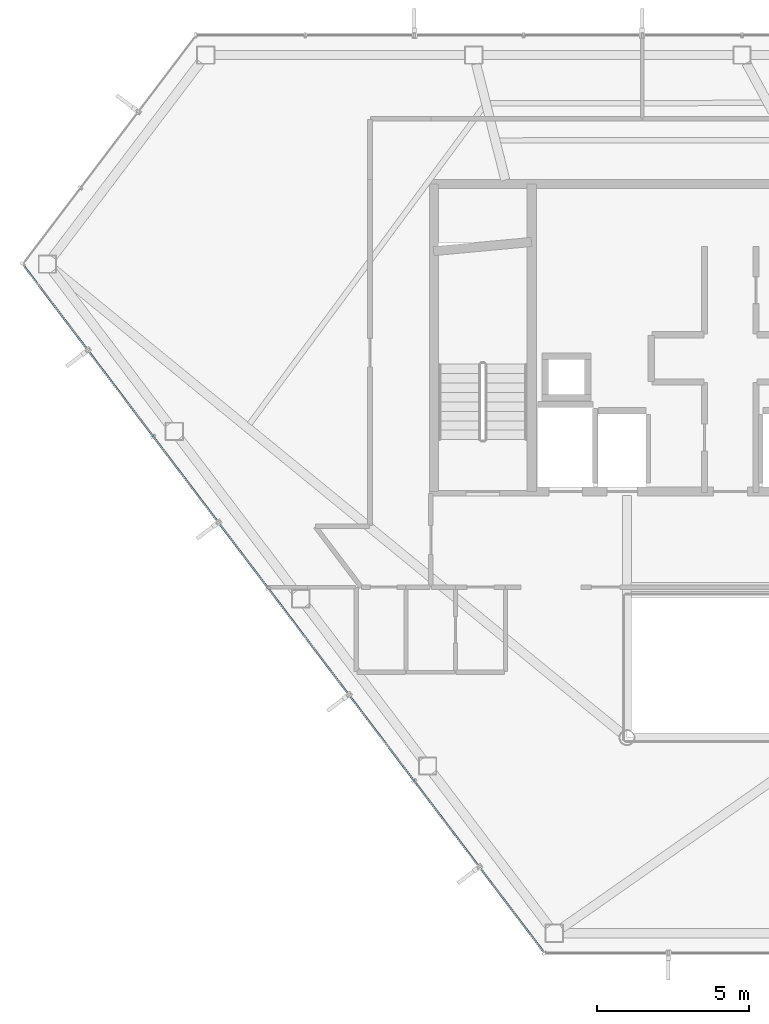
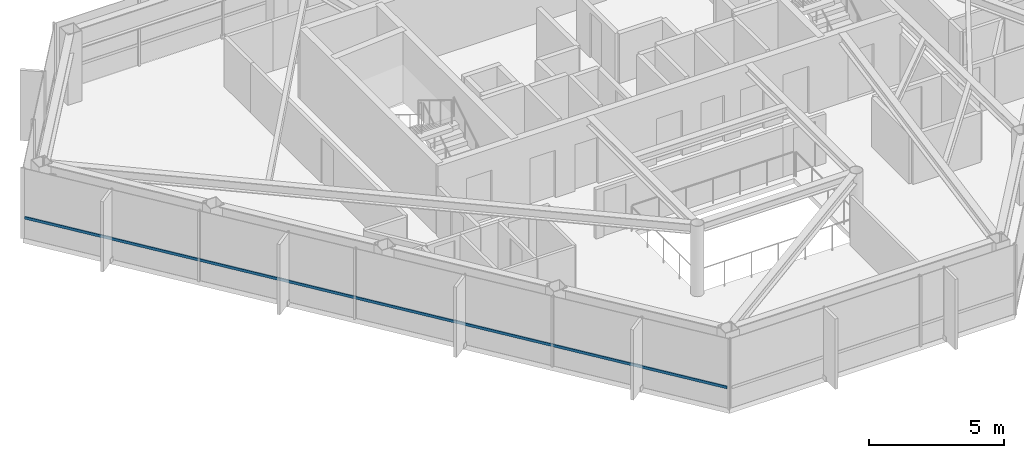
# One storey, part 4 of 28: 1 member, 1 element without a shape of its own.
"""IFC4 building model written with IfcOpenShell, lengths in metres."""

from ifc_helpers import new_model, si_unit, direction, frame, origin, origin_2d, place, context, subcontext, project, spatial, hollow_rectangle, extrude, material, layer, layer_set, material_profile, profile_set, type_object, element, aggregate, save


model = new_model("IFC4")

# Units and contexts
model_context = context("Model", 3, precision=1e-05, world=origin(), true_north=direction((0.0, 1.0)))
body_context = subcontext(model_context, "Body", "Model", "MODEL_VIEW")
ifc_project = project(units=[si_unit("LENGTHUNIT", "METRE"), si_unit("AREAUNIT", "SQUARE_METRE"), si_unit("VOLUMEUNIT", "CUBIC_METRE"), si_unit("PLANEANGLEUNIT", "RADIAN"), si_unit("MASSUNIT", "GRAM", prefix="KILO")], contexts=[model_context])

# Site, building, storey
site_placement = place(None, origin())
site = spatial("IfcSite", under=ifc_project, at=site_placement, CompositionType="ELEMENT")
building_placement = place(site_placement, origin())
building = spatial("IfcBuilding", under=site, at=building_placement, Name="Zarrinselat Tower", CompositionType="ELEMENT")
storey_placement = place(building_placement, frame((0.0, 0.0, 218.9599609375)))
storey = spatial("IfcBuildingStorey", under=building, at=storey_placement, Name="L54", CompositionType="ELEMENT", Elevation=218.9599609375)

# Curtain wall, member
ifc_material_1 = material(Name="Extruded Aluminium Alloy EN AW-6063 T6", Category="aluminium")
ifc_layer = layer(ifc_material_1, 0.169921875)
ifc_layer_set = layer_set([ifc_layer], Name="Extruded Aluminium Alloy EN AW-6063 T6")
curtain_wall_type = type_object("IfcCurtainWallType", Name="CWS-RES", PredefinedType="NOTDEFINED", material=ifc_layer_set)
curtain_wall_placement = place(storey_placement, origin())
curtain_wall = element("IfcCurtainWall", 1, at=curtain_wall_placement, inside=storey, type_object=curtain_wall_type, Name="L54 Unitised Curtain Wall CW-L54-E03", PredefinedType="NOTDEFINED")
ifc_material_2 = material(Name="Extruded Aluminium Alloy EN AW-6063 T6", Category="aluminium")
ifc_material_profile = material_profile(ifc_material_2, hollow_rectangle(XDim=0.06005859375, YDim=0.1201171875, WallThickness=0.00390625, at=origin_2d()), Name="RHS 120x60x4")
ifc_profile_set = profile_set([ifc_material_profile], Name="Extruded Aluminium Alloy EN AW-6063 T6")
member_type = type_object("IfcMemberType", Name="MEM-CW-TRN2", PredefinedType="USERDEFINED", material=ifc_profile_set)
member_placement = place(storey_placement, frame((15.180908203125, 40.7001953125, 0.949951171875), z_axis=(0.603865676755, -0.797086096001, 0.0), x_axis=(0.797086096001, 0.603865676755, 0.0)))
member = element("IfcMember", 2, at=member_placement, type_object=member_type, Name="CW-L54-E03 Transom 1", ObjectType="TRANSOM", PredefinedType="USERDEFINED", context=body_context, shape_type="SweptSolid", body=[
    extrude(hollow_rectangle(XDim=0.06005859375, YDim=0.1201171875, WallThickness=0.00390625, at=origin_2d()), origin(), (0.0, 0.0, 1.0), 28.242431640625),
])
aggregate(curtain_wall, [member])

save(model, "model.ifc")
